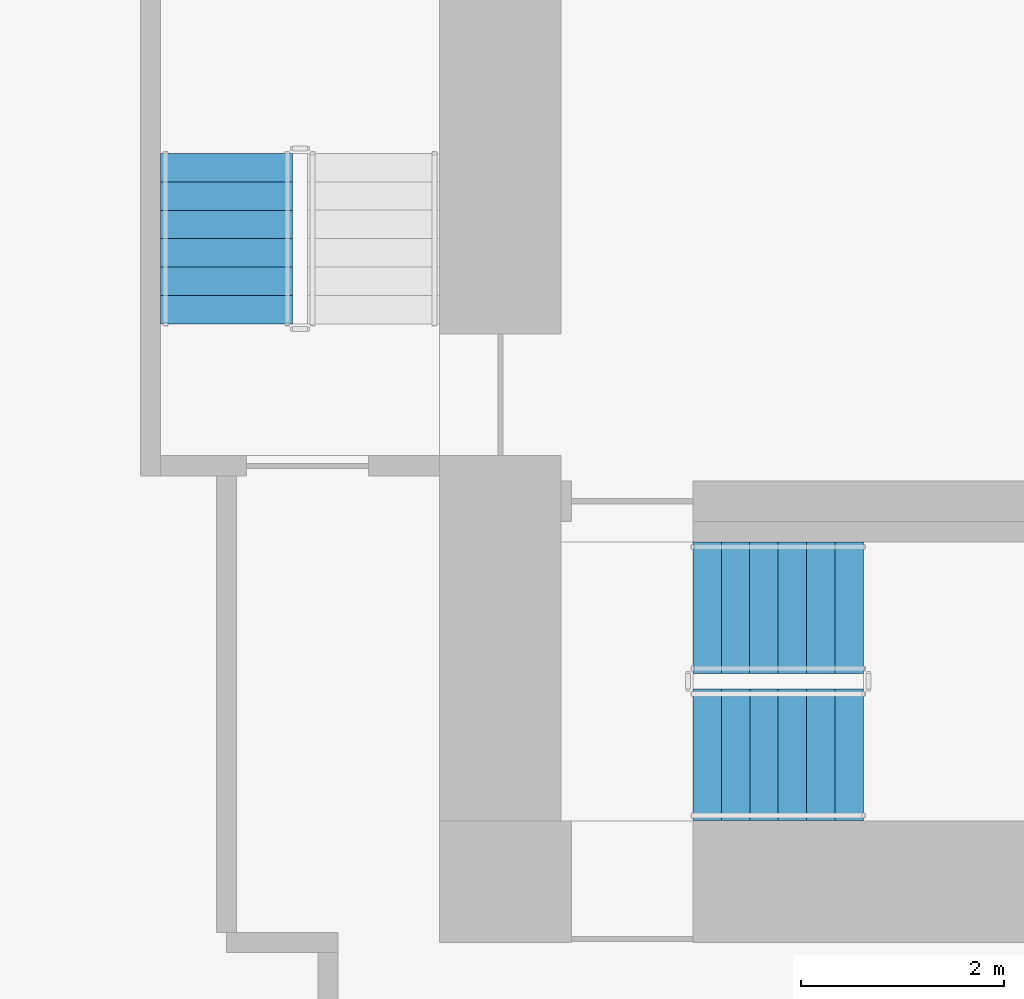
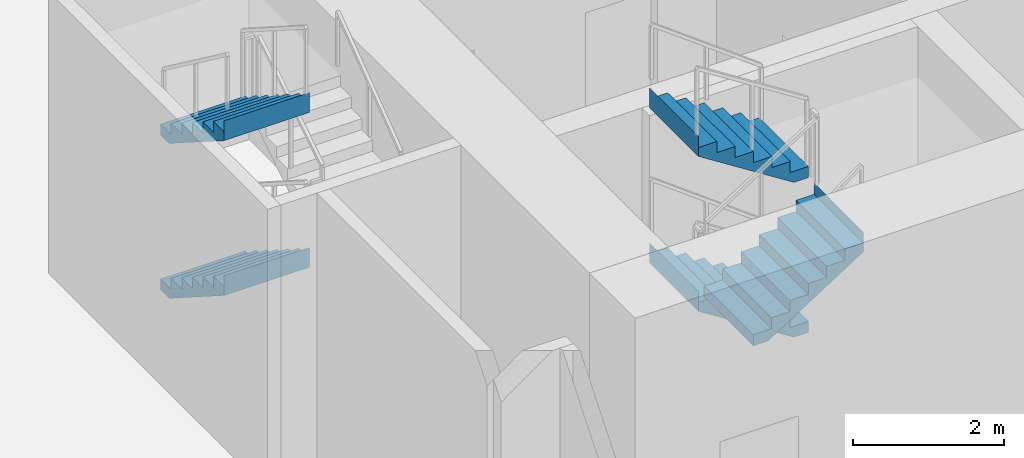
# One storey, part 41 of 57: 5 stair flights, 2 elements without a shape of their own.
"""IFC4 building model written with IfcOpenShell, lengths in metres."""

from ifc_helpers import new_model, si_unit, direction, frame, origin, place, context, subcontext, project, spatial, triangles, material, type_object, element, aggregate, save


model = new_model("IFC4")

# Units and contexts
model_context = context("Model", 3, precision=1e-05, world=origin(), true_north=direction((0.0, 1.0)))
body_context = subcontext(model_context, "Body", "Model", "MODEL_VIEW")
ifc_project = project(units=[si_unit("LENGTHUNIT", "METRE"), si_unit("AREAUNIT", "SQUARE_METRE"), si_unit("VOLUMEUNIT", "CUBIC_METRE"), si_unit("PLANEANGLEUNIT", "RADIAN"), si_unit("MASSUNIT", "GRAM", prefix="KILO")], contexts=[model_context])

# Site, building, storey
site_placement = place(None, origin())
site = spatial("IfcSite", under=ifc_project, at=site_placement, CompositionType="ELEMENT")
building_placement = place(site_placement, origin())
building = spatial("IfcBuilding", under=site, at=building_placement, Name="Beryl Residences", CompositionType="ELEMENT")
storey_placement = place(building_placement, origin())
storey = spatial("IfcBuildingStorey", under=building, at=storey_placement, Name="L00", CompositionType="ELEMENT", Elevation=0.0)

# Stair, stair flights
ifc_material_1 = material(Name="Concrete C40/50", Category="concrete")
stair_type = type_object("IfcStairType", Name="ST1 protected exit stair, half-turn, 1300 mm flights", PredefinedType="HALF_TURN_STAIR", material=ifc_material_1)
stair_1_placement = place(storey_placement, origin())
stair_1 = element("IfcStair", 1, at=stair_1_placement, inside=storey, type_object=stair_type, Name="L00 PROTECTED EXIT STAIR ST-1", PredefinedType="HALF_TURN_STAIR")
ifc_material_2 = material(Name="Concrete C40/50", Category="concrete")
stair_flight_type = type_object("IfcStairFlightType", Name="SF1 stair flight 1300 mm", PredefinedType="STRAIGHT", material=ifc_material_2)
stair_flight_1_placement = place(storey_placement, frame((-9.1201171875, -15.699951171875, 1.25), z_axis=(0.0, 0.0, 1.0), x_axis=(-1.0, 0.0, 0.0)))
stair_flight_1 = element("IfcStairFlight", 2, at=stair_flight_1_placement, type_object=stair_flight_type, Name="ST-1 flight 2", NumberOfRisers=7, NumberOfTreads=6, PredefinedType="STRAIGHT", RiserHeight=0.178571429, TreadLength=0.28, context=body_context, shape_type="Tessellation", body=[
    triangles([(0.0, -0.64990234375, 0.0), (0.0, -0.324951171875, 0.0), (0.0, 0.0, 0.0), (0.0, 0.324951171875, 0.0), (0.0, 0.64990234375, 0.0), (0.0, -0.64990234375, 0.178466796875), (0.0, -0.324951171875, 0.178466796875), (0.0, 0.0, 0.178466796875), (0.0, 0.324951171875, 0.178466796875), (0.0, 0.64990234375, 0.178466796875), (0.280029296875, -0.64990234375, 0.178466796875), (0.280029296875, -0.324951171875, 0.178466796875), (0.280029296875, 0.0, 0.178466796875), (0.280029296875, 0.324951171875, 0.178466796875), (0.280029296875, 0.64990234375, 0.178466796875), (0.280029296875, -0.64990234375, 0.357177734375), (0.280029296875, -0.324951171875, 0.357177734375), (0.280029296875, 0.0, 0.357177734375), (0.280029296875, 0.324951171875, 0.357177734375), (0.280029296875, 0.64990234375, 0.357177734375), (0.56005859375, -0.64990234375, 0.357177734375), (0.56005859375, -0.324951171875, 0.357177734375), (0.56005859375, 0.0, 0.357177734375), (0.56005859375, 0.324951171875, 0.357177734375), (0.56005859375, 0.64990234375, 0.357177734375), (0.56005859375, -0.64990234375, 0.53564453125), (0.56005859375, -0.324951171875, 0.53564453125), (0.56005859375, 0.0, 0.53564453125), (0.56005859375, 0.324951171875, 0.53564453125), (0.56005859375, 0.64990234375, 0.53564453125), (0.840087890625, -0.64990234375, 0.53564453125), (0.840087890625, -0.324951171875, 0.53564453125), (0.840087890625, 0.0, 0.53564453125), (0.840087890625, 0.324951171875, 0.53564453125), (0.840087890625, 0.64990234375, 0.53564453125), (0.840087890625, -0.64990234375, 0.71435546875), (0.840087890625, -0.324951171875, 0.71435546875), (0.840087890625, 0.0, 0.71435546875), (0.840087890625, 0.324951171875, 0.71435546875), (0.840087890625, 0.64990234375, 0.71435546875), (1.1201171875, -0.64990234375, 0.71435546875), (1.1201171875, -0.324951171875, 0.71435546875), (1.1201171875, 0.0, 0.71435546875), (1.1201171875, 0.324951171875, 0.71435546875), (1.1201171875, 0.64990234375, 0.71435546875), (1.1201171875, -0.64990234375, 0.892822265625), (1.1201171875, -0.324951171875, 0.892822265625), (1.1201171875, 0.0, 0.892822265625), (1.1201171875, 0.324951171875, 0.892822265625), (1.1201171875, 0.64990234375, 0.892822265625), (1.39990234375, -0.64990234375, 0.892822265625), (1.39990234375, -0.324951171875, 0.892822265625), (1.39990234375, 0.0, 0.892822265625), (1.39990234375, 0.324951171875, 0.892822265625), (1.39990234375, 0.64990234375, 0.892822265625), (1.39990234375, -0.64990234375, 1.071533203125), (1.39990234375, -0.324951171875, 1.071533203125), (1.39990234375, 0.0, 1.071533203125), (1.39990234375, 0.324951171875, 1.071533203125), (1.39990234375, 0.64990234375, 1.071533203125), (1.679931640625, -0.64990234375, 1.071533203125), (1.679931640625, -0.324951171875, 1.071533203125), (1.679931640625, 0.0, 1.071533203125), (1.679931640625, 0.324951171875, 1.071533203125), (1.679931640625, 0.64990234375, 1.071533203125), (1.679931640625, -0.64990234375, 1.25), (1.679931640625, -0.324951171875, 1.25), (1.679931640625, 0.0, 1.25), (1.679931640625, 0.324951171875, 1.25), (1.679931640625, 0.64990234375, 1.25), (1.680908203125, -0.64990234375, 1.25), (1.680908203125, -0.324951171875, 1.25), (1.680908203125, 0.0, 1.25), (1.680908203125, 0.324951171875, 1.25), (1.680908203125, 0.64990234375, 1.25), (1.680908203125, -0.64990234375, 0.928955078125), (1.680908203125, -0.324951171875, 0.928955078125), (1.680908203125, 0.0, 0.928955078125), (1.680908203125, 0.324951171875, 0.928955078125), (1.680908203125, 0.64990234375, 0.928955078125), (0.224365234375, -0.64990234375, 0.0), (0.224365234375, -0.324951171875, 0.0), (0.224365234375, 0.0, 0.0), (0.224365234375, 0.324951171875, 0.0), (0.224365234375, 0.64990234375, 0.0)], [[1, 6, 7], [1, 7, 2], [2, 7, 8], [2, 8, 3], [3, 8, 9], [3, 9, 4], [4, 9, 10], [4, 10, 5], [6, 11, 12], [6, 12, 7], [7, 12, 13], [7, 13, 8], [8, 13, 14], [8, 14, 9], [9, 14, 15], [9, 15, 10], [11, 16, 17], [11, 17, 12], [12, 17, 18], [12, 18, 13], [13, 18, 19], [13, 19, 14], [14, 19, 20], [14, 20, 15], [16, 21, 22], [16, 22, 17], [17, 22, 23], [17, 23, 18], [18, 23, 24], [18, 24, 19], [19, 24, 25], [19, 25, 20], [21, 26, 27], [21, 27, 22], [22, 27, 28], [22, 28, 23], [23, 28, 29], [23, 29, 24], [24, 29, 30], [24, 30, 25], [26, 31, 32], [26, 32, 27], [27, 32, 33], [27, 33, 28], [28, 33, 34], [28, 34, 29], [29, 34, 35], [29, 35, 30], [31, 36, 37], [31, 37, 32], [32, 37, 38], [32, 38, 33], [33, 38, 39], [33, 39, 34], [34, 39, 40], [34, 40, 35], [36, 41, 42], [36, 42, 37], [37, 42, 43], [37, 43, 38], [38, 43, 44], [38, 44, 39], [39, 44, 45], [39, 45, 40], [41, 46, 47], [41, 47, 42], [42, 47, 48], [42, 48, 43], [43, 48, 49], [43, 49, 44], [44, 49, 50], [44, 50, 45], [46, 51, 52], [46, 52, 47], [47, 52, 53], [47, 53, 48], [48, 53, 54], [48, 54, 49], [49, 54, 55], [49, 55, 50], [51, 56, 57], [51, 57, 52], [52, 57, 58], [52, 58, 53], [53, 58, 59], [53, 59, 54], [54, 59, 60], [54, 60, 55], [56, 61, 62], [56, 62, 57], [57, 62, 63], [57, 63, 58], [58, 63, 64], [58, 64, 59], [59, 64, 65], [59, 65, 60], [61, 66, 67], [61, 67, 62], [62, 67, 68], [62, 68, 63], [63, 68, 69], [63, 69, 64], [64, 69, 70], [64, 70, 65], [66, 71, 72], [66, 72, 67], [67, 72, 73], [67, 73, 68], [68, 73, 74], [68, 74, 69], [69, 74, 75], [69, 75, 70], [71, 76, 77], [71, 77, 72], [72, 77, 78], [72, 78, 73], [73, 78, 79], [73, 79, 74], [74, 79, 80], [74, 80, 75], [76, 81, 82], [76, 82, 77], [77, 82, 83], [77, 83, 78], [78, 83, 84], [78, 84, 79], [79, 84, 85], [79, 85, 80], [81, 1, 2], [81, 2, 82], [82, 2, 3], [82, 3, 83], [83, 3, 4], [83, 4, 84], [84, 4, 5], [84, 5, 85], [1, 81, 76], [5, 80, 85], [76, 71, 66], [80, 70, 75], [76, 66, 61], [80, 65, 70], [76, 61, 56], [80, 60, 65], [76, 56, 51], [80, 55, 60], [51, 46, 41], [55, 45, 50], [76, 51, 41], [80, 45, 55], [41, 36, 31], [45, 35, 40], [76, 41, 31], [80, 35, 45], [31, 26, 21], [35, 25, 30], [76, 31, 21], [80, 25, 35], [21, 16, 11], [25, 15, 20], [76, 21, 11], [80, 15, 25], [1, 76, 11], [5, 15, 80], [11, 6, 1], [15, 5, 10]], closed=True),
])
stair_flight_2_placement = place(storey_placement, frame((-10.800048828125, -17.14990234375, 2.5), z_axis=(0.0, 0.0, 1.0), x_axis=(1.0, 0.0, 0.0)))
stair_flight_2 = element("IfcStairFlight", 3, at=stair_flight_2_placement, type_object=stair_flight_type, Name="ST-1 flight 3", NumberOfRisers=7, NumberOfTreads=6, PredefinedType="STRAIGHT", RiserHeight=0.178571429, TreadLength=0.28, context=body_context, shape_type="Tessellation", body=[
    triangles([(0.0, -0.64990234375, 0.0), (0.0, -0.324951171875, 0.0), (0.0, 0.0, 0.0), (0.0, 0.324951171875, 0.0), (0.0, 0.64990234375, 0.0), (0.0, -0.64990234375, 0.178466796875), (0.0, -0.324951171875, 0.178466796875), (0.0, 0.0, 0.178466796875), (0.0, 0.324951171875, 0.178466796875), (0.0, 0.64990234375, 0.178466796875), (0.280029296875, -0.64990234375, 0.178466796875), (0.280029296875, -0.324951171875, 0.178466796875), (0.280029296875, 0.0, 0.178466796875), (0.280029296875, 0.324951171875, 0.178466796875), (0.280029296875, 0.64990234375, 0.178466796875), (0.280029296875, -0.64990234375, 0.357177734375), (0.280029296875, -0.324951171875, 0.357177734375), (0.280029296875, 0.0, 0.357177734375), (0.280029296875, 0.324951171875, 0.357177734375), (0.280029296875, 0.64990234375, 0.357177734375), (0.56005859375, -0.64990234375, 0.357177734375), (0.56005859375, -0.324951171875, 0.357177734375), (0.56005859375, 0.0, 0.357177734375), (0.56005859375, 0.324951171875, 0.357177734375), (0.56005859375, 0.64990234375, 0.357177734375), (0.56005859375, -0.64990234375, 0.53564453125), (0.56005859375, -0.324951171875, 0.53564453125), (0.56005859375, 0.0, 0.53564453125), (0.56005859375, 0.324951171875, 0.53564453125), (0.56005859375, 0.64990234375, 0.53564453125), (0.840087890625, -0.64990234375, 0.53564453125), (0.840087890625, -0.324951171875, 0.53564453125), (0.840087890625, 0.0, 0.53564453125), (0.840087890625, 0.324951171875, 0.53564453125), (0.840087890625, 0.64990234375, 0.53564453125), (0.840087890625, -0.64990234375, 0.71435546875), (0.840087890625, -0.324951171875, 0.71435546875), (0.840087890625, 0.0, 0.71435546875), (0.840087890625, 0.324951171875, 0.71435546875), (0.840087890625, 0.64990234375, 0.71435546875), (1.1201171875, -0.64990234375, 0.71435546875), (1.1201171875, -0.324951171875, 0.71435546875), (1.1201171875, 0.0, 0.71435546875), (1.1201171875, 0.324951171875, 0.71435546875), (1.1201171875, 0.64990234375, 0.71435546875), (1.1201171875, -0.64990234375, 0.892822265625), (1.1201171875, -0.324951171875, 0.892822265625), (1.1201171875, 0.0, 0.892822265625), (1.1201171875, 0.324951171875, 0.892822265625), (1.1201171875, 0.64990234375, 0.892822265625), (1.39990234375, -0.64990234375, 0.892822265625), (1.39990234375, -0.324951171875, 0.892822265625), (1.39990234375, 0.0, 0.892822265625), (1.39990234375, 0.324951171875, 0.892822265625), (1.39990234375, 0.64990234375, 0.892822265625), (1.39990234375, -0.64990234375, 1.071533203125), (1.39990234375, -0.324951171875, 1.071533203125), (1.39990234375, 0.0, 1.071533203125), (1.39990234375, 0.324951171875, 1.071533203125), (1.39990234375, 0.64990234375, 1.071533203125), (1.679931640625, -0.64990234375, 1.071533203125), (1.679931640625, -0.324951171875, 1.071533203125), (1.679931640625, 0.0, 1.071533203125), (1.679931640625, 0.324951171875, 1.071533203125), (1.679931640625, 0.64990234375, 1.071533203125), (1.679931640625, -0.64990234375, 1.25), (1.679931640625, -0.324951171875, 1.25), (1.679931640625, 0.0, 1.25), (1.679931640625, 0.324951171875, 1.25), (1.679931640625, 0.64990234375, 1.25), (1.680908203125, -0.64990234375, 1.25), (1.680908203125, -0.324951171875, 1.25), (1.680908203125, 0.0, 1.25), (1.680908203125, 0.324951171875, 1.25), (1.680908203125, 0.64990234375, 1.25), (1.680908203125, -0.64990234375, 0.928955078125), (1.680908203125, -0.324951171875, 0.928955078125), (1.680908203125, 0.0, 0.928955078125), (1.680908203125, 0.324951171875, 0.928955078125), (1.680908203125, 0.64990234375, 0.928955078125), (0.224365234375, -0.64990234375, 0.0), (0.224365234375, -0.324951171875, 0.0), (0.224365234375, 0.0, 0.0), (0.224365234375, 0.324951171875, 0.0), (0.224365234375, 0.64990234375, 0.0)], [[1, 6, 7], [1, 7, 2], [2, 7, 8], [2, 8, 3], [3, 8, 9], [3, 9, 4], [4, 9, 10], [4, 10, 5], [6, 11, 12], [6, 12, 7], [7, 12, 13], [7, 13, 8], [8, 13, 14], [8, 14, 9], [9, 14, 15], [9, 15, 10], [11, 16, 17], [11, 17, 12], [12, 17, 18], [12, 18, 13], [13, 18, 19], [13, 19, 14], [14, 19, 20], [14, 20, 15], [16, 21, 22], [16, 22, 17], [17, 22, 23], [17, 23, 18], [18, 23, 24], [18, 24, 19], [19, 24, 25], [19, 25, 20], [21, 26, 27], [21, 27, 22], [22, 27, 28], [22, 28, 23], [23, 28, 29], [23, 29, 24], [24, 29, 30], [24, 30, 25], [26, 31, 32], [26, 32, 27], [27, 32, 33], [27, 33, 28], [28, 33, 34], [28, 34, 29], [29, 34, 35], [29, 35, 30], [31, 36, 37], [31, 37, 32], [32, 37, 38], [32, 38, 33], [33, 38, 39], [33, 39, 34], [34, 39, 40], [34, 40, 35], [36, 41, 42], [36, 42, 37], [37, 42, 43], [37, 43, 38], [38, 43, 44], [38, 44, 39], [39, 44, 45], [39, 45, 40], [41, 46, 47], [41, 47, 42], [42, 47, 48], [42, 48, 43], [43, 48, 49], [43, 49, 44], [44, 49, 50], [44, 50, 45], [46, 51, 52], [46, 52, 47], [47, 52, 53], [47, 53, 48], [48, 53, 54], [48, 54, 49], [49, 54, 55], [49, 55, 50], [51, 56, 57], [51, 57, 52], [52, 57, 58], [52, 58, 53], [53, 58, 59], [53, 59, 54], [54, 59, 60], [54, 60, 55], [56, 61, 62], [56, 62, 57], [57, 62, 63], [57, 63, 58], [58, 63, 64], [58, 64, 59], [59, 64, 65], [59, 65, 60], [61, 66, 67], [61, 67, 62], [62, 67, 68], [62, 68, 63], [63, 68, 69], [63, 69, 64], [64, 69, 70], [64, 70, 65], [66, 71, 72], [66, 72, 67], [67, 72, 73], [67, 73, 68], [68, 73, 74], [68, 74, 69], [69, 74, 75], [69, 75, 70], [71, 76, 77], [71, 77, 72], [72, 77, 78], [72, 78, 73], [73, 78, 79], [73, 79, 74], [74, 79, 80], [74, 80, 75], [76, 81, 82], [76, 82, 77], [77, 82, 83], [77, 83, 78], [78, 83, 84], [78, 84, 79], [79, 84, 85], [79, 85, 80], [81, 1, 2], [81, 2, 82], [82, 2, 3], [82, 3, 83], [83, 3, 4], [83, 4, 84], [84, 4, 5], [84, 5, 85], [1, 81, 76], [5, 80, 85], [76, 71, 66], [80, 70, 75], [76, 66, 61], [80, 65, 70], [76, 61, 56], [80, 60, 65], [76, 56, 51], [80, 55, 60], [51, 46, 41], [55, 45, 50], [76, 51, 41], [80, 45, 55], [41, 36, 31], [45, 35, 40], [76, 41, 31], [80, 35, 45], [31, 26, 21], [35, 25, 30], [76, 31, 21], [80, 25, 35], [21, 16, 11], [25, 15, 20], [76, 21, 11], [80, 15, 25], [1, 76, 11], [5, 15, 80], [11, 6, 1], [15, 5, 10]], closed=True),
])
stair_flight_3_placement = place(storey_placement, frame((-9.1201171875, -15.699951171875, 3.75), z_axis=(0.0, 0.0, 1.0), x_axis=(-1.0, 0.0, 0.0)))
stair_flight_3 = element("IfcStairFlight", 4, at=stair_flight_3_placement, type_object=stair_flight_type, Name="ST-1 flight 4", NumberOfRisers=7, NumberOfTreads=6, PredefinedType="STRAIGHT", RiserHeight=0.178571429, TreadLength=0.28, context=body_context, shape_type="Tessellation", body=[
    triangles([(0.0, -0.64990234375, 0.0), (0.0, -0.324951171875, 0.0), (0.0, 0.0, 0.0), (0.0, 0.324951171875, 0.0), (0.0, 0.64990234375, 0.0), (0.0, -0.64990234375, 0.178466796875), (0.0, -0.324951171875, 0.178466796875), (0.0, 0.0, 0.178466796875), (0.0, 0.324951171875, 0.178466796875), (0.0, 0.64990234375, 0.178466796875), (0.280029296875, -0.64990234375, 0.178466796875), (0.280029296875, -0.324951171875, 0.178466796875), (0.280029296875, 0.0, 0.178466796875), (0.280029296875, 0.324951171875, 0.178466796875), (0.280029296875, 0.64990234375, 0.178466796875), (0.280029296875, -0.64990234375, 0.357177734375), (0.280029296875, -0.324951171875, 0.357177734375), (0.280029296875, 0.0, 0.357177734375), (0.280029296875, 0.324951171875, 0.357177734375), (0.280029296875, 0.64990234375, 0.357177734375), (0.56005859375, -0.64990234375, 0.357177734375), (0.56005859375, -0.324951171875, 0.357177734375), (0.56005859375, 0.0, 0.357177734375), (0.56005859375, 0.324951171875, 0.357177734375), (0.56005859375, 0.64990234375, 0.357177734375), (0.56005859375, -0.64990234375, 0.53564453125), (0.56005859375, -0.324951171875, 0.53564453125), (0.56005859375, 0.0, 0.53564453125), (0.56005859375, 0.324951171875, 0.53564453125), (0.56005859375, 0.64990234375, 0.53564453125), (0.840087890625, -0.64990234375, 0.53564453125), (0.840087890625, -0.324951171875, 0.53564453125), (0.840087890625, 0.0, 0.53564453125), (0.840087890625, 0.324951171875, 0.53564453125), (0.840087890625, 0.64990234375, 0.53564453125), (0.840087890625, -0.64990234375, 0.71435546875), (0.840087890625, -0.324951171875, 0.71435546875), (0.840087890625, 0.0, 0.71435546875), (0.840087890625, 0.324951171875, 0.71435546875), (0.840087890625, 0.64990234375, 0.71435546875), (1.1201171875, -0.64990234375, 0.71435546875), (1.1201171875, -0.324951171875, 0.71435546875), (1.1201171875, 0.0, 0.71435546875), (1.1201171875, 0.324951171875, 0.71435546875), (1.1201171875, 0.64990234375, 0.71435546875), (1.1201171875, -0.64990234375, 0.892822265625), (1.1201171875, -0.324951171875, 0.892822265625), (1.1201171875, 0.0, 0.892822265625), (1.1201171875, 0.324951171875, 0.892822265625), (1.1201171875, 0.64990234375, 0.892822265625), (1.39990234375, -0.64990234375, 0.892822265625), (1.39990234375, -0.324951171875, 0.892822265625), (1.39990234375, 0.0, 0.892822265625), (1.39990234375, 0.324951171875, 0.892822265625), (1.39990234375, 0.64990234375, 0.892822265625), (1.39990234375, -0.64990234375, 1.071533203125), (1.39990234375, -0.324951171875, 1.071533203125), (1.39990234375, 0.0, 1.071533203125), (1.39990234375, 0.324951171875, 1.071533203125), (1.39990234375, 0.64990234375, 1.071533203125), (1.679931640625, -0.64990234375, 1.071533203125), (1.679931640625, -0.324951171875, 1.071533203125), (1.679931640625, 0.0, 1.071533203125), (1.679931640625, 0.324951171875, 1.071533203125), (1.679931640625, 0.64990234375, 1.071533203125), (1.679931640625, -0.64990234375, 1.25), (1.679931640625, -0.324951171875, 1.25), (1.679931640625, 0.0, 1.25), (1.679931640625, 0.324951171875, 1.25), (1.679931640625, 0.64990234375, 1.25), (1.680908203125, -0.64990234375, 1.25), (1.680908203125, -0.324951171875, 1.25), (1.680908203125, 0.0, 1.25), (1.680908203125, 0.324951171875, 1.25), (1.680908203125, 0.64990234375, 1.25), (1.680908203125, -0.64990234375, 0.928955078125), (1.680908203125, -0.324951171875, 0.928955078125), (1.680908203125, 0.0, 0.928955078125), (1.680908203125, 0.324951171875, 0.928955078125), (1.680908203125, 0.64990234375, 0.928955078125), (0.224365234375, -0.64990234375, 0.0), (0.224365234375, -0.324951171875, 0.0), (0.224365234375, 0.0, 0.0), (0.224365234375, 0.324951171875, 0.0), (0.224365234375, 0.64990234375, 0.0)], [[1, 6, 7], [1, 7, 2], [2, 7, 8], [2, 8, 3], [3, 8, 9], [3, 9, 4], [4, 9, 10], [4, 10, 5], [6, 11, 12], [6, 12, 7], [7, 12, 13], [7, 13, 8], [8, 13, 14], [8, 14, 9], [9, 14, 15], [9, 15, 10], [11, 16, 17], [11, 17, 12], [12, 17, 18], [12, 18, 13], [13, 18, 19], [13, 19, 14], [14, 19, 20], [14, 20, 15], [16, 21, 22], [16, 22, 17], [17, 22, 23], [17, 23, 18], [18, 23, 24], [18, 24, 19], [19, 24, 25], [19, 25, 20], [21, 26, 27], [21, 27, 22], [22, 27, 28], [22, 28, 23], [23, 28, 29], [23, 29, 24], [24, 29, 30], [24, 30, 25], [26, 31, 32], [26, 32, 27], [27, 32, 33], [27, 33, 28], [28, 33, 34], [28, 34, 29], [29, 34, 35], [29, 35, 30], [31, 36, 37], [31, 37, 32], [32, 37, 38], [32, 38, 33], [33, 38, 39], [33, 39, 34], [34, 39, 40], [34, 40, 35], [36, 41, 42], [36, 42, 37], [37, 42, 43], [37, 43, 38], [38, 43, 44], [38, 44, 39], [39, 44, 45], [39, 45, 40], [41, 46, 47], [41, 47, 42], [42, 47, 48], [42, 48, 43], [43, 48, 49], [43, 49, 44], [44, 49, 50], [44, 50, 45], [46, 51, 52], [46, 52, 47], [47, 52, 53], [47, 53, 48], [48, 53, 54], [48, 54, 49], [49, 54, 55], [49, 55, 50], [51, 56, 57], [51, 57, 52], [52, 57, 58], [52, 58, 53], [53, 58, 59], [53, 59, 54], [54, 59, 60], [54, 60, 55], [56, 61, 62], [56, 62, 57], [57, 62, 63], [57, 63, 58], [58, 63, 64], [58, 64, 59], [59, 64, 65], [59, 65, 60], [61, 66, 67], [61, 67, 62], [62, 67, 68], [62, 68, 63], [63, 68, 69], [63, 69, 64], [64, 69, 70], [64, 70, 65], [66, 71, 72], [66, 72, 67], [67, 72, 73], [67, 73, 68], [68, 73, 74], [68, 74, 69], [69, 74, 75], [69, 75, 70], [71, 76, 77], [71, 77, 72], [72, 77, 78], [72, 78, 73], [73, 78, 79], [73, 79, 74], [74, 79, 80], [74, 80, 75], [76, 81, 82], [76, 82, 77], [77, 82, 83], [77, 83, 78], [78, 83, 84], [78, 84, 79], [79, 84, 85], [79, 85, 80], [81, 1, 2], [81, 2, 82], [82, 2, 3], [82, 3, 83], [83, 3, 4], [83, 4, 84], [84, 4, 5], [84, 5, 85], [1, 81, 76], [5, 80, 85], [76, 71, 66], [80, 70, 75], [76, 66, 61], [80, 65, 70], [76, 61, 56], [80, 60, 65], [76, 56, 51], [80, 55, 60], [51, 46, 41], [55, 45, 50], [76, 51, 41], [80, 45, 55], [41, 36, 31], [45, 35, 40], [76, 41, 31], [80, 35, 45], [31, 26, 21], [35, 25, 30], [76, 31, 21], [80, 25, 35], [21, 16, 11], [25, 15, 20], [76, 21, 11], [80, 15, 25], [1, 76, 11], [5, 15, 80], [11, 6, 1], [15, 5, 10]], closed=True),
])
aggregate(stair_1, [stair_flight_1, stair_flight_2, stair_flight_3])

stair_2_placement = place(storey_placement, origin())
stair_2 = element("IfcStair", 5, at=stair_2_placement, inside=storey, type_object=stair_type, Name="L00 PROTECTED EXIT STAIR ST-2", PredefinedType="HALF_TURN_STAIR")
stair_flight_4_placement = place(storey_placement, frame((-15.39990234375, -11.219970703125, 1.25), z_axis=(0.0, 0.0, 1.0), x_axis=(0.0, -1.0, 0.0)))
stair_flight_4 = element("IfcStairFlight", 6, at=stair_flight_4_placement, type_object=stair_flight_type, Name="ST-2 flight 2", NumberOfRisers=7, NumberOfTreads=6, PredefinedType="STRAIGHT", RiserHeight=0.178571429, TreadLength=0.28, context=body_context, shape_type="Tessellation", body=[
    triangles([(0.0, -0.64990234375, 0.0), (0.0, -0.324951171875, 0.0), (0.0, 0.0, 0.0), (0.0, 0.324951171875, 0.0), (0.0, 0.64990234375, 0.0), (0.0, -0.64990234375, 0.178466796875), (0.0, -0.324951171875, 0.178466796875), (0.0, 0.0, 0.178466796875), (0.0, 0.324951171875, 0.178466796875), (0.0, 0.64990234375, 0.178466796875), (0.280029296875, -0.64990234375, 0.178466796875), (0.280029296875, -0.324951171875, 0.178466796875), (0.280029296875, 0.0, 0.178466796875), (0.280029296875, 0.324951171875, 0.178466796875), (0.280029296875, 0.64990234375, 0.178466796875), (0.280029296875, -0.64990234375, 0.357177734375), (0.280029296875, -0.324951171875, 0.357177734375), (0.280029296875, 0.0, 0.357177734375), (0.280029296875, 0.324951171875, 0.357177734375), (0.280029296875, 0.64990234375, 0.357177734375), (0.56005859375, -0.64990234375, 0.357177734375), (0.56005859375, -0.324951171875, 0.357177734375), (0.56005859375, 0.0, 0.357177734375), (0.56005859375, 0.324951171875, 0.357177734375), (0.56005859375, 0.64990234375, 0.357177734375), (0.56005859375, -0.64990234375, 0.53564453125), (0.56005859375, -0.324951171875, 0.53564453125), (0.56005859375, 0.0, 0.53564453125), (0.56005859375, 0.324951171875, 0.53564453125), (0.56005859375, 0.64990234375, 0.53564453125), (0.840087890625, -0.64990234375, 0.53564453125), (0.840087890625, -0.324951171875, 0.53564453125), (0.840087890625, 0.0, 0.53564453125), (0.840087890625, 0.324951171875, 0.53564453125), (0.840087890625, 0.64990234375, 0.53564453125), (0.840087890625, -0.64990234375, 0.71435546875), (0.840087890625, -0.324951171875, 0.71435546875), (0.840087890625, 0.0, 0.71435546875), (0.840087890625, 0.324951171875, 0.71435546875), (0.840087890625, 0.64990234375, 0.71435546875), (1.1201171875, -0.64990234375, 0.71435546875), (1.1201171875, -0.324951171875, 0.71435546875), (1.1201171875, 0.0, 0.71435546875), (1.1201171875, 0.324951171875, 0.71435546875), (1.1201171875, 0.64990234375, 0.71435546875), (1.1201171875, -0.64990234375, 0.892822265625), (1.1201171875, -0.324951171875, 0.892822265625), (1.1201171875, 0.0, 0.892822265625), (1.1201171875, 0.324951171875, 0.892822265625), (1.1201171875, 0.64990234375, 0.892822265625), (1.39990234375, -0.64990234375, 0.892822265625), (1.39990234375, -0.324951171875, 0.892822265625), (1.39990234375, 0.0, 0.892822265625), (1.39990234375, 0.324951171875, 0.892822265625), (1.39990234375, 0.64990234375, 0.892822265625), (1.39990234375, -0.64990234375, 1.071533203125), (1.39990234375, -0.324951171875, 1.071533203125), (1.39990234375, 0.0, 1.071533203125), (1.39990234375, 0.324951171875, 1.071533203125), (1.39990234375, 0.64990234375, 1.071533203125), (1.679931640625, -0.64990234375, 1.071533203125), (1.679931640625, -0.324951171875, 1.071533203125), (1.679931640625, 0.0, 1.071533203125), (1.679931640625, 0.324951171875, 1.071533203125), (1.679931640625, 0.64990234375, 1.071533203125), (1.679931640625, -0.64990234375, 1.25), (1.679931640625, -0.324951171875, 1.25), (1.679931640625, 0.0, 1.25), (1.679931640625, 0.324951171875, 1.25), (1.679931640625, 0.64990234375, 1.25), (1.680908203125, -0.64990234375, 1.25), (1.680908203125, -0.324951171875, 1.25), (1.680908203125, 0.0, 1.25), (1.680908203125, 0.324951171875, 1.25), (1.680908203125, 0.64990234375, 1.25), (1.680908203125, -0.64990234375, 0.928955078125), (1.680908203125, -0.324951171875, 0.928955078125), (1.680908203125, 0.0, 0.928955078125), (1.680908203125, 0.324951171875, 0.928955078125), (1.680908203125, 0.64990234375, 0.928955078125), (0.224365234375, -0.64990234375, 0.0), (0.224365234375, -0.324951171875, 0.0), (0.224365234375, 0.0, 0.0), (0.224365234375, 0.324951171875, 0.0), (0.224365234375, 0.64990234375, 0.0)], [[1, 6, 7], [1, 7, 2], [2, 7, 8], [2, 8, 3], [3, 8, 9], [3, 9, 4], [4, 9, 10], [4, 10, 5], [6, 11, 12], [6, 12, 7], [7, 12, 13], [7, 13, 8], [8, 13, 14], [8, 14, 9], [9, 14, 15], [9, 15, 10], [11, 16, 17], [11, 17, 12], [12, 17, 18], [12, 18, 13], [13, 18, 19], [13, 19, 14], [14, 19, 20], [14, 20, 15], [16, 21, 22], [16, 22, 17], [17, 22, 23], [17, 23, 18], [18, 23, 24], [18, 24, 19], [19, 24, 25], [19, 25, 20], [21, 26, 27], [21, 27, 22], [22, 27, 28], [22, 28, 23], [23, 28, 29], [23, 29, 24], [24, 29, 30], [24, 30, 25], [26, 31, 32], [26, 32, 27], [27, 32, 33], [27, 33, 28], [28, 33, 34], [28, 34, 29], [29, 34, 35], [29, 35, 30], [31, 36, 37], [31, 37, 32], [32, 37, 38], [32, 38, 33], [33, 38, 39], [33, 39, 34], [34, 39, 40], [34, 40, 35], [36, 41, 42], [36, 42, 37], [37, 42, 43], [37, 43, 38], [38, 43, 44], [38, 44, 39], [39, 44, 45], [39, 45, 40], [41, 46, 47], [41, 47, 42], [42, 47, 48], [42, 48, 43], [43, 48, 49], [43, 49, 44], [44, 49, 50], [44, 50, 45], [46, 51, 52], [46, 52, 47], [47, 52, 53], [47, 53, 48], [48, 53, 54], [48, 54, 49], [49, 54, 55], [49, 55, 50], [51, 56, 57], [51, 57, 52], [52, 57, 58], [52, 58, 53], [53, 58, 59], [53, 59, 54], [54, 59, 60], [54, 60, 55], [56, 61, 62], [56, 62, 57], [57, 62, 63], [57, 63, 58], [58, 63, 64], [58, 64, 59], [59, 64, 65], [59, 65, 60], [61, 66, 67], [61, 67, 62], [62, 67, 68], [62, 68, 63], [63, 68, 69], [63, 69, 64], [64, 69, 70], [64, 70, 65], [66, 71, 72], [66, 72, 67], [67, 72, 73], [67, 73, 68], [68, 73, 74], [68, 74, 69], [69, 74, 75], [69, 75, 70], [71, 76, 77], [71, 77, 72], [72, 77, 78], [72, 78, 73], [73, 78, 79], [73, 79, 74], [74, 79, 80], [74, 80, 75], [76, 81, 82], [76, 82, 77], [77, 82, 83], [77, 83, 78], [78, 83, 84], [78, 84, 79], [79, 84, 85], [79, 85, 80], [81, 1, 2], [81, 2, 82], [82, 2, 3], [82, 3, 83], [83, 3, 4], [83, 4, 84], [84, 4, 5], [84, 5, 85], [1, 81, 76], [5, 80, 85], [76, 71, 66], [80, 70, 75], [76, 66, 61], [80, 65, 70], [76, 61, 56], [80, 60, 65], [76, 56, 51], [80, 55, 60], [51, 46, 41], [55, 45, 50], [76, 51, 41], [80, 45, 55], [41, 36, 31], [45, 35, 40], [76, 41, 31], [80, 35, 45], [31, 26, 21], [35, 25, 30], [76, 31, 21], [80, 25, 35], [21, 16, 11], [25, 15, 20], [76, 21, 11], [80, 15, 25], [1, 76, 11], [5, 15, 80], [11, 6, 1], [15, 5, 10]], closed=True),
])
stair_flight_5_placement = place(storey_placement, frame((-15.39990234375, -11.219970703125, 3.75), z_axis=(0.0, 0.0, 1.0), x_axis=(0.0, -1.0, 0.0)))
stair_flight_5 = element("IfcStairFlight", 7, at=stair_flight_5_placement, type_object=stair_flight_type, Name="ST-2 flight 4", NumberOfRisers=7, NumberOfTreads=6, PredefinedType="STRAIGHT", RiserHeight=0.178571429, TreadLength=0.28, context=body_context, shape_type="Tessellation", body=[
    triangles([(0.0, -0.64990234375, 0.0), (0.0, -0.324951171875, 0.0), (0.0, 0.0, 0.0), (0.0, 0.324951171875, 0.0), (0.0, 0.64990234375, 0.0), (0.0, -0.64990234375, 0.178466796875), (0.0, -0.324951171875, 0.178466796875), (0.0, 0.0, 0.178466796875), (0.0, 0.324951171875, 0.178466796875), (0.0, 0.64990234375, 0.178466796875), (0.280029296875, -0.64990234375, 0.178466796875), (0.280029296875, -0.324951171875, 0.178466796875), (0.280029296875, 0.0, 0.178466796875), (0.280029296875, 0.324951171875, 0.178466796875), (0.280029296875, 0.64990234375, 0.178466796875), (0.280029296875, -0.64990234375, 0.357177734375), (0.280029296875, -0.324951171875, 0.357177734375), (0.280029296875, 0.0, 0.357177734375), (0.280029296875, 0.324951171875, 0.357177734375), (0.280029296875, 0.64990234375, 0.357177734375), (0.56005859375, -0.64990234375, 0.357177734375), (0.56005859375, -0.324951171875, 0.357177734375), (0.56005859375, 0.0, 0.357177734375), (0.56005859375, 0.324951171875, 0.357177734375), (0.56005859375, 0.64990234375, 0.357177734375), (0.56005859375, -0.64990234375, 0.53564453125), (0.56005859375, -0.324951171875, 0.53564453125), (0.56005859375, 0.0, 0.53564453125), (0.56005859375, 0.324951171875, 0.53564453125), (0.56005859375, 0.64990234375, 0.53564453125), (0.840087890625, -0.64990234375, 0.53564453125), (0.840087890625, -0.324951171875, 0.53564453125), (0.840087890625, 0.0, 0.53564453125), (0.840087890625, 0.324951171875, 0.53564453125), (0.840087890625, 0.64990234375, 0.53564453125), (0.840087890625, -0.64990234375, 0.71435546875), (0.840087890625, -0.324951171875, 0.71435546875), (0.840087890625, 0.0, 0.71435546875), (0.840087890625, 0.324951171875, 0.71435546875), (0.840087890625, 0.64990234375, 0.71435546875), (1.1201171875, -0.64990234375, 0.71435546875), (1.1201171875, -0.324951171875, 0.71435546875), (1.1201171875, 0.0, 0.71435546875), (1.1201171875, 0.324951171875, 0.71435546875), (1.1201171875, 0.64990234375, 0.71435546875), (1.1201171875, -0.64990234375, 0.892822265625), (1.1201171875, -0.324951171875, 0.892822265625), (1.1201171875, 0.0, 0.892822265625), (1.1201171875, 0.324951171875, 0.892822265625), (1.1201171875, 0.64990234375, 0.892822265625), (1.39990234375, -0.64990234375, 0.892822265625), (1.39990234375, -0.324951171875, 0.892822265625), (1.39990234375, 0.0, 0.892822265625), (1.39990234375, 0.324951171875, 0.892822265625), (1.39990234375, 0.64990234375, 0.892822265625), (1.39990234375, -0.64990234375, 1.071533203125), (1.39990234375, -0.324951171875, 1.071533203125), (1.39990234375, 0.0, 1.071533203125), (1.39990234375, 0.324951171875, 1.071533203125), (1.39990234375, 0.64990234375, 1.071533203125), (1.679931640625, -0.64990234375, 1.071533203125), (1.679931640625, -0.324951171875, 1.071533203125), (1.679931640625, 0.0, 1.071533203125), (1.679931640625, 0.324951171875, 1.071533203125), (1.679931640625, 0.64990234375, 1.071533203125), (1.679931640625, -0.64990234375, 1.25), (1.679931640625, -0.324951171875, 1.25), (1.679931640625, 0.0, 1.25), (1.679931640625, 0.324951171875, 1.25), (1.679931640625, 0.64990234375, 1.25), (1.680908203125, -0.64990234375, 1.25), (1.680908203125, -0.324951171875, 1.25), (1.680908203125, 0.0, 1.25), (1.680908203125, 0.324951171875, 1.25), (1.680908203125, 0.64990234375, 1.25), (1.680908203125, -0.64990234375, 0.928955078125), (1.680908203125, -0.324951171875, 0.928955078125), (1.680908203125, 0.0, 0.928955078125), (1.680908203125, 0.324951171875, 0.928955078125), (1.680908203125, 0.64990234375, 0.928955078125), (0.224365234375, -0.64990234375, 0.0), (0.224365234375, -0.324951171875, 0.0), (0.224365234375, 0.0, 0.0), (0.224365234375, 0.324951171875, 0.0), (0.224365234375, 0.64990234375, 0.0)], [[1, 6, 7], [1, 7, 2], [2, 7, 8], [2, 8, 3], [3, 8, 9], [3, 9, 4], [4, 9, 10], [4, 10, 5], [6, 11, 12], [6, 12, 7], [7, 12, 13], [7, 13, 8], [8, 13, 14], [8, 14, 9], [9, 14, 15], [9, 15, 10], [11, 16, 17], [11, 17, 12], [12, 17, 18], [12, 18, 13], [13, 18, 19], [13, 19, 14], [14, 19, 20], [14, 20, 15], [16, 21, 22], [16, 22, 17], [17, 22, 23], [17, 23, 18], [18, 23, 24], [18, 24, 19], [19, 24, 25], [19, 25, 20], [21, 26, 27], [21, 27, 22], [22, 27, 28], [22, 28, 23], [23, 28, 29], [23, 29, 24], [24, 29, 30], [24, 30, 25], [26, 31, 32], [26, 32, 27], [27, 32, 33], [27, 33, 28], [28, 33, 34], [28, 34, 29], [29, 34, 35], [29, 35, 30], [31, 36, 37], [31, 37, 32], [32, 37, 38], [32, 38, 33], [33, 38, 39], [33, 39, 34], [34, 39, 40], [34, 40, 35], [36, 41, 42], [36, 42, 37], [37, 42, 43], [37, 43, 38], [38, 43, 44], [38, 44, 39], [39, 44, 45], [39, 45, 40], [41, 46, 47], [41, 47, 42], [42, 47, 48], [42, 48, 43], [43, 48, 49], [43, 49, 44], [44, 49, 50], [44, 50, 45], [46, 51, 52], [46, 52, 47], [47, 52, 53], [47, 53, 48], [48, 53, 54], [48, 54, 49], [49, 54, 55], [49, 55, 50], [51, 56, 57], [51, 57, 52], [52, 57, 58], [52, 58, 53], [53, 58, 59], [53, 59, 54], [54, 59, 60], [54, 60, 55], [56, 61, 62], [56, 62, 57], [57, 62, 63], [57, 63, 58], [58, 63, 64], [58, 64, 59], [59, 64, 65], [59, 65, 60], [61, 66, 67], [61, 67, 62], [62, 67, 68], [62, 68, 63], [63, 68, 69], [63, 69, 64], [64, 69, 70], [64, 70, 65], [66, 71, 72], [66, 72, 67], [67, 72, 73], [67, 73, 68], [68, 73, 74], [68, 74, 69], [69, 74, 75], [69, 75, 70], [71, 76, 77], [71, 77, 72], [72, 77, 78], [72, 78, 73], [73, 78, 79], [73, 79, 74], [74, 79, 80], [74, 80, 75], [76, 81, 82], [76, 82, 77], [77, 82, 83], [77, 83, 78], [78, 83, 84], [78, 84, 79], [79, 84, 85], [79, 85, 80], [81, 1, 2], [81, 2, 82], [82, 2, 3], [82, 3, 83], [83, 3, 4], [83, 4, 84], [84, 4, 5], [84, 5, 85], [1, 81, 76], [5, 80, 85], [76, 71, 66], [80, 70, 75], [76, 66, 61], [80, 65, 70], [76, 61, 56], [80, 60, 65], [76, 56, 51], [80, 55, 60], [51, 46, 41], [55, 45, 50], [76, 51, 41], [80, 45, 55], [41, 36, 31], [45, 35, 40], [76, 41, 31], [80, 35, 45], [31, 26, 21], [35, 25, 30], [76, 31, 21], [80, 25, 35], [21, 16, 11], [25, 15, 20], [76, 21, 11], [80, 15, 25], [1, 76, 11], [5, 15, 80], [11, 6, 1], [15, 5, 10]], closed=True),
])
aggregate(stair_2, [stair_flight_4, stair_flight_5])

save(model, "model.ifc")
